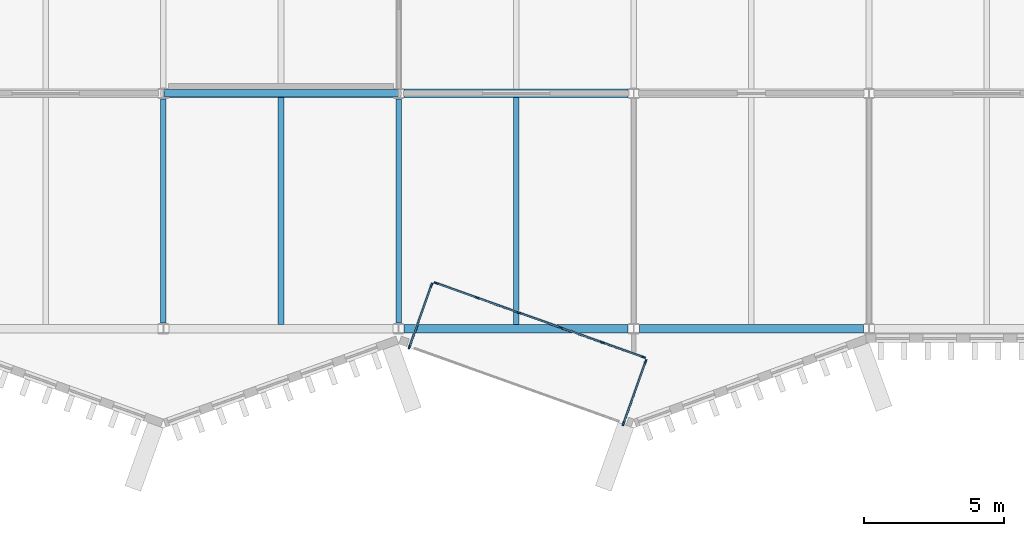
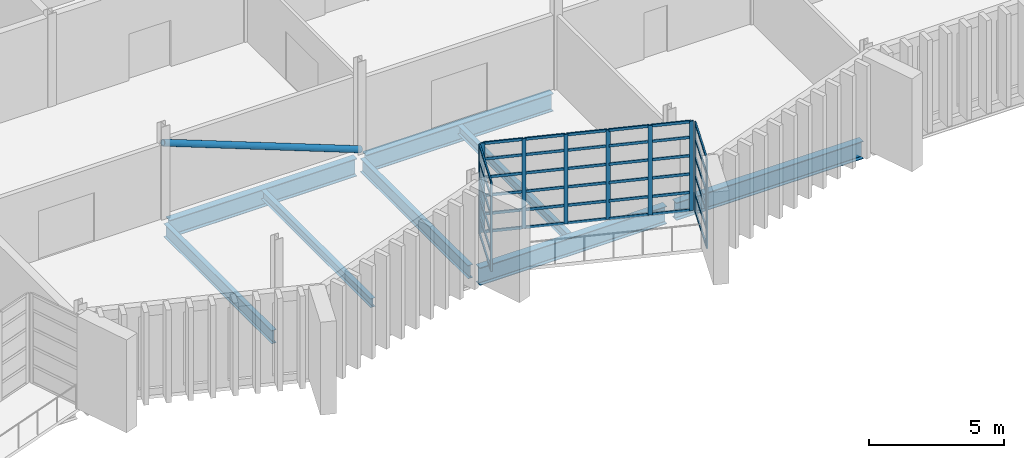
# One storey, part 18 of 96: 53 members, 8 beams, 3 elements without a shape of their own.
"""IFC4 building model written with IfcOpenShell, lengths in metres."""

from ifc_helpers import new_model, si_unit, direction, frame, origin, origin_2d, place, context, subcontext, project, spatial, rectangle, hollow_circle, i_section, extrude, material, layer, layer_set, material_profile, profile_set, type_object, element, aggregate, save


model = new_model("IFC4")

# Units and contexts
model_context = context("Model", 3, precision=1e-05, world=origin(), true_north=direction((0.0, 1.0)))
body_context = subcontext(model_context, "Body", "Model", "MODEL_VIEW")
ifc_project = project(units=[si_unit("LENGTHUNIT", "METRE"), si_unit("AREAUNIT", "SQUARE_METRE"), si_unit("VOLUMEUNIT", "CUBIC_METRE"), si_unit("PLANEANGLEUNIT", "RADIAN"), si_unit("MASSUNIT", "GRAM", prefix="KILO")], contexts=[model_context])

# Site, building, storey
site_placement = place(None, origin())
site = spatial("IfcSite", under=ifc_project, at=site_placement, CompositionType="ELEMENT")
building_placement = place(site_placement, origin())
building = spatial("IfcBuilding", under=site, at=building_placement, Name="Cresset Court Congress Hotel", CompositionType="ELEMENT")
storey_placement = place(building_placement, frame((0.0, 0.0, 6.0)))
storey = spatial("IfcBuildingStorey", under=building, at=storey_placement, Name="L01", CompositionType="ELEMENT", Elevation=6.0)

# Curtain wall, members
ifc_material_1 = material(Name="Aluminium frame with double glazing", Category="aluminium")
ifc_layer = layer(ifc_material_1, 0.199951171875)
ifc_layer_set = layer_set([ifc_layer], Name="Glazed box curtain wall 1680 module")
curtain_wall_type = type_object("IfcCurtainWallType", Name="Glazed box curtain wall 1680 module", PredefinedType="NOTDEFINED", material=ifc_layer_set)
curtain_wall_1_placement = place(storey_placement, origin())
curtain_wall_1 = element("IfcCurtainWall", 1, at=curtain_wall_1_placement, inside=storey, type_object=curtain_wall_type, Name="Glazed box S0106 front", PredefinedType="NOTDEFINED")
ifc_material_2 = material(Name="Aluminium", Category="aluminium")
ifc_material_profile_1 = material_profile(ifc_material_2, rectangle(XDim=0.06005859375, YDim=0.159912109375, at=origin_2d()), Name="Box mullion 60x160")
ifc_profile_set_1 = profile_set([ifc_material_profile_1], Name="Aluminium")
member_type_1 = type_object("IfcMemberType", Name="Box mullion 60x160", PredefinedType="MULLION", material=ifc_profile_set_1)
member_1_placement = place(storey_placement, frame((51.739990234375, 1.6259765625, 0.0), z_axis=(0.0, 0.0, 1.0), x_axis=(0.336336396981, 0.941741911601, 0.0)))
member_1 = element("IfcMember", 2, at=member_1_placement, type_object=member_type_1, Name="B-X1 mullion 1", PredefinedType="MULLION", context=body_context, shape_type="SweptSolid", body=[
    extrude(rectangle(XDim=0.06005859375, YDim=0.159912109375, at=origin_2d()), origin(), (0.0, 0.0, 1.0), 4.050048828125),
])
member_2_placement = place(storey_placement, frame((53.203369140625, 1.103515625, 0.0), z_axis=(0.0, 0.0, 1.0), x_axis=(0.336336396981, 0.941741911601, 0.0)))
member_2 = element("IfcMember", 3, at=member_2_placement, type_object=member_type_1, Name="B-X1 mullion 2", PredefinedType="MULLION", context=body_context, shape_type="SweptSolid", body=[
    extrude(rectangle(XDim=0.06005859375, YDim=0.159912109375, at=origin_2d()), origin(), (0.0, 0.0, 1.0), 4.050048828125),
])
member_3_placement = place(storey_placement, frame((54.695068359375, 0.57080078125, 0.0), z_axis=(0.0, 0.0, 1.0), x_axis=(0.336336396981, 0.941741911601, 0.0)))
member_3 = element("IfcMember", 4, at=member_3_placement, type_object=member_type_1, Name="B-X1 mullion 3", PredefinedType="MULLION", context=body_context, shape_type="SweptSolid", body=[
    extrude(rectangle(XDim=0.06005859375, YDim=0.159912109375, at=origin_2d()), origin(), (0.0, 0.0, 1.0), 4.050048828125),
])
member_4_placement = place(storey_placement, frame((56.186767578125, 0.0380859375, 0.0), z_axis=(0.0, 0.0, 1.0), x_axis=(0.336336396981, 0.941741911601, 0.0)))
member_4 = element("IfcMember", 5, at=member_4_placement, type_object=member_type_1, Name="B-X1 mullion 4", PredefinedType="MULLION", context=body_context, shape_type="SweptSolid", body=[
    extrude(rectangle(XDim=0.06005859375, YDim=0.159912109375, at=origin_2d()), origin(), (0.0, 0.0, 1.0), 4.050048828125),
])
member_5_placement = place(storey_placement, frame((57.67822265625, -0.49462890625, 0.0), z_axis=(0.0, 0.0, 1.0), x_axis=(0.336336396981, 0.941741911601, 0.0)))
member_5 = element("IfcMember", 6, at=member_5_placement, type_object=member_type_1, Name="B-X1 mullion 5", PredefinedType="MULLION", context=body_context, shape_type="SweptSolid", body=[
    extrude(rectangle(XDim=0.06005859375, YDim=0.159912109375, at=origin_2d()), origin(), (0.0, 0.0, 1.0), 4.050048828125),
])
member_6_placement = place(storey_placement, frame((59.1416015625, -1.017333984375, 0.0), z_axis=(0.0, 0.0, 1.0), x_axis=(0.336336396981, 0.941741911601, 0.0)))
member_6 = element("IfcMember", 7, at=member_6_placement, type_object=member_type_1, Name="B-X1 mullion 6", PredefinedType="MULLION", context=body_context, shape_type="SweptSolid", body=[
    extrude(rectangle(XDim=0.06005859375, YDim=0.159912109375, at=origin_2d()), origin(), (0.0, 0.0, 1.0), 4.050048828125),
])

curtain_wall_2_placement = place(storey_placement, origin())
curtain_wall_2 = element("IfcCurtainWall", 8, at=curtain_wall_2_placement, inside=storey, type_object=curtain_wall_type, Name="Glazed box S0106 side", PredefinedType="NOTDEFINED")
member_7_placement = place(storey_placement, frame((50.786865234375, -0.65625, 0.0), z_axis=(0.0, 0.0, 1.0), x_axis=(-0.941741911707, 0.336336396685, 0.0)))
member_7 = element("IfcMember", 9, at=member_7_placement, type_object=member_type_1, Name="B-X1 mullion 1", PredefinedType="MULLION", context=body_context, shape_type="SweptSolid", body=[
    extrude(rectangle(XDim=0.06005859375, YDim=0.159912109375, at=origin_2d()), origin(), (0.0, 0.0, 1.0), 4.050048828125),
])
member_8_placement = place(storey_placement, frame((51.57373046875, 1.54736328125, 0.0), z_axis=(0.0, 0.0, 1.0), x_axis=(-0.941741911707, 0.336336396685, 0.0)))
member_8 = element("IfcMember", 10, at=member_8_placement, type_object=member_type_1, Name="B-X1 mullion 2", PredefinedType="MULLION", context=body_context, shape_type="SweptSolid", body=[
    extrude(rectangle(XDim=0.06005859375, YDim=0.159912109375, at=origin_2d()), origin(), (0.0, 0.0, 1.0), 4.050048828125),
])

curtain_wall_3_placement = place(storey_placement, origin())
curtain_wall_3 = element("IfcCurtainWall", 11, at=curtain_wall_3_placement, inside=storey, type_object=curtain_wall_type, Name="Glazed box S0106 side", PredefinedType="NOTDEFINED")
member_9_placement = place(storey_placement, frame((58.433349609375, -3.38720703125, 0.0), z_axis=(0.0, 0.0, 1.0), x_axis=(-0.941741911578, 0.336336397047, 0.0)))
member_9 = element("IfcMember", 12, at=member_9_placement, type_object=member_type_1, Name="B-X1 mullion 1", PredefinedType="MULLION", context=body_context, shape_type="SweptSolid", body=[
    extrude(rectangle(XDim=0.06005859375, YDim=0.159912109375, at=origin_2d()), origin(), (0.0, 0.0, 1.0), 4.050048828125),
])
member_10_placement = place(storey_placement, frame((59.220458984375, -1.18359375, 0.0), z_axis=(0.0, 0.0, 1.0), x_axis=(-0.941741911578, 0.336336397047, 0.0)))
member_10 = element("IfcMember", 13, at=member_10_placement, type_object=member_type_1, Name="B-X1 mullion 2", PredefinedType="MULLION", context=body_context, shape_type="SweptSolid", body=[
    extrude(rectangle(XDim=0.06005859375, YDim=0.159912109375, at=origin_2d()), origin(), (0.0, 0.0, 1.0), 4.050048828125),
])

# Member
ifc_material_3 = material(Name="Aluminium", Category="aluminium")
ifc_material_profile_2 = material_profile(ifc_material_3, rectangle(XDim=0.06005859375, YDim=0.1201171875, at=origin_2d()), Name="Box transom 60x120")
ifc_profile_set_2 = profile_set([ifc_material_profile_2], Name="Aluminium")
member_type_2 = type_object("IfcMemberType", Name="Box transom 60x120", PredefinedType="USERDEFINED", material=ifc_profile_set_2)
member_11_placement = place(storey_placement, frame((51.768310546875, 1.615966796875, 0.030029296875), z_axis=(0.941734515945, -0.336357104098, 0.0), x_axis=(0.336357104098, 0.941734515945, 0.0)))
member_11 = element("IfcMember", 14, at=member_11_placement, type_object=member_type_2, Name="B-X1 transom 1.1", ObjectType="TRANSOM", PredefinedType="USERDEFINED", context=body_context, shape_type="SweptSolid", body=[
    extrude(rectangle(XDim=0.06005859375, YDim=0.1201171875, at=origin_2d()), origin(), (0.0, 0.0, 1.0), 1.49365234375),
])

member_12_placement = place(storey_placement, frame((51.768310546875, 1.615966796875, 0.830078125), z_axis=(0.941734515945, -0.336357104098, 0.0), x_axis=(0.336357104098, 0.941734515945, 0.0)))
member_12 = element("IfcMember", 15, at=member_12_placement, type_object=member_type_2, Name="B-X1 transom 1.2", ObjectType="TRANSOM", PredefinedType="USERDEFINED", context=body_context, shape_type="SweptSolid", body=[
    extrude(rectangle(XDim=0.06005859375, YDim=0.1201171875, at=origin_2d()), origin(), (0.0, 0.0, 1.0), 1.49365234375),
])

member_13_placement = place(storey_placement, frame((51.768310546875, 1.615966796875, 1.659912109375), z_axis=(0.941734515945, -0.336357104098, 0.0), x_axis=(0.336357104098, 0.941734515945, 0.0)))
member_13 = element("IfcMember", 16, at=member_13_placement, type_object=member_type_2, Name="B-X1 transom 1.3", ObjectType="TRANSOM", PredefinedType="USERDEFINED", context=body_context, shape_type="SweptSolid", body=[
    extrude(rectangle(XDim=0.06005859375, YDim=0.1201171875, at=origin_2d()), origin(), (0.0, 0.0, 1.0), 1.49365234375),
])

member_14_placement = place(storey_placement, frame((51.768310546875, 1.615966796875, 2.489990234375), z_axis=(0.941734515945, -0.336357104098, 0.0), x_axis=(0.336357104098, 0.941734515945, 0.0)))
member_14 = element("IfcMember", 17, at=member_14_placement, type_object=member_type_2, Name="B-X1 transom 1.4", ObjectType="TRANSOM", PredefinedType="USERDEFINED", context=body_context, shape_type="SweptSolid", body=[
    extrude(rectangle(XDim=0.06005859375, YDim=0.1201171875, at=origin_2d()), origin(), (0.0, 0.0, 1.0), 1.49365234375),
])

member_15_placement = place(storey_placement, frame((51.768310546875, 1.615966796875, 3.320068359375), z_axis=(0.941734515945, -0.336357104098, 0.0), x_axis=(0.336357104098, 0.941734515945, 0.0)))
member_15 = element("IfcMember", 18, at=member_15_placement, type_object=member_type_2, Name="B-X1 transom 1.5", ObjectType="TRANSOM", PredefinedType="USERDEFINED", context=body_context, shape_type="SweptSolid", body=[
    extrude(rectangle(XDim=0.06005859375, YDim=0.1201171875, at=origin_2d()), origin(), (0.0, 0.0, 1.0), 1.49365234375),
])

member_16_placement = place(storey_placement, frame((51.768310546875, 1.615966796875, 4.02001953125), z_axis=(0.941734515945, -0.336357104098, 0.0), x_axis=(0.336357104098, 0.941734515945, 0.0)))
member_16 = element("IfcMember", 19, at=member_16_placement, type_object=member_type_2, Name="B-X1 transom 1.6", ObjectType="TRANSOM", PredefinedType="USERDEFINED", context=body_context, shape_type="SweptSolid", body=[
    extrude(rectangle(XDim=0.06005859375, YDim=0.1201171875, at=origin_2d()), origin(), (0.0, 0.0, 1.0), 1.49365234375),
])

member_17_placement = place(storey_placement, frame((53.231689453125, 1.09326171875, 0.030029296875), z_axis=(0.941756410009, -0.336295798675, 0.0), x_axis=(0.336295798675, 0.941756410009, 0.0)))
member_17 = element("IfcMember", 20, at=member_17_placement, type_object=member_type_2, Name="B-X1 transom 2.1", ObjectType="TRANSOM", PredefinedType="USERDEFINED", context=body_context, shape_type="SweptSolid", body=[
    extrude(rectangle(XDim=0.06005859375, YDim=0.1201171875, at=origin_2d()), origin(), (0.0, 0.0, 1.0), 1.52392578125),
])

member_18_placement = place(storey_placement, frame((53.231689453125, 1.09326171875, 0.830078125), z_axis=(0.941756410009, -0.336295798675, 0.0), x_axis=(0.336295798675, 0.941756410009, 0.0)))
member_18 = element("IfcMember", 21, at=member_18_placement, type_object=member_type_2, Name="B-X1 transom 2.2", ObjectType="TRANSOM", PredefinedType="USERDEFINED", context=body_context, shape_type="SweptSolid", body=[
    extrude(rectangle(XDim=0.06005859375, YDim=0.1201171875, at=origin_2d()), origin(), (0.0, 0.0, 1.0), 1.52392578125),
])

member_19_placement = place(storey_placement, frame((53.231689453125, 1.09326171875, 1.659912109375), z_axis=(0.941756410009, -0.336295798675, 0.0), x_axis=(0.336295798675, 0.941756410009, 0.0)))
member_19 = element("IfcMember", 22, at=member_19_placement, type_object=member_type_2, Name="B-X1 transom 2.3", ObjectType="TRANSOM", PredefinedType="USERDEFINED", context=body_context, shape_type="SweptSolid", body=[
    extrude(rectangle(XDim=0.06005859375, YDim=0.1201171875, at=origin_2d()), origin(), (0.0, 0.0, 1.0), 1.52392578125),
])

member_20_placement = place(storey_placement, frame((53.231689453125, 1.09326171875, 2.489990234375), z_axis=(0.941756410009, -0.336295798675, 0.0), x_axis=(0.336295798675, 0.941756410009, 0.0)))
member_20 = element("IfcMember", 23, at=member_20_placement, type_object=member_type_2, Name="B-X1 transom 2.4", ObjectType="TRANSOM", PredefinedType="USERDEFINED", context=body_context, shape_type="SweptSolid", body=[
    extrude(rectangle(XDim=0.06005859375, YDim=0.1201171875, at=origin_2d()), origin(), (0.0, 0.0, 1.0), 1.52392578125),
])

member_21_placement = place(storey_placement, frame((53.231689453125, 1.09326171875, 3.320068359375), z_axis=(0.941756410009, -0.336295798675, 0.0), x_axis=(0.336295798675, 0.941756410009, 0.0)))
member_21 = element("IfcMember", 24, at=member_21_placement, type_object=member_type_2, Name="B-X1 transom 2.5", ObjectType="TRANSOM", PredefinedType="USERDEFINED", context=body_context, shape_type="SweptSolid", body=[
    extrude(rectangle(XDim=0.06005859375, YDim=0.1201171875, at=origin_2d()), origin(), (0.0, 0.0, 1.0), 1.52392578125),
])

member_22_placement = place(storey_placement, frame((53.231689453125, 1.09326171875, 4.02001953125), z_axis=(0.941756410009, -0.336295798675, 0.0), x_axis=(0.336295798675, 0.941756410009, 0.0)))
member_22 = element("IfcMember", 25, at=member_22_placement, type_object=member_type_2, Name="B-X1 transom 2.6", ObjectType="TRANSOM", PredefinedType="USERDEFINED", context=body_context, shape_type="SweptSolid", body=[
    extrude(rectangle(XDim=0.06005859375, YDim=0.1201171875, at=origin_2d()), origin(), (0.0, 0.0, 1.0), 1.52392578125),
])

member_23_placement = place(storey_placement, frame((54.723388671875, 0.560546875, 0.030029296875), z_axis=(0.941756410009, -0.336295798675, 0.0), x_axis=(0.336295798675, 0.941756410009, 0.0)))
member_23 = element("IfcMember", 26, at=member_23_placement, type_object=member_type_2, Name="B-X1 transom 3.1", ObjectType="TRANSOM", PredefinedType="USERDEFINED", context=body_context, shape_type="SweptSolid", body=[
    extrude(rectangle(XDim=0.06005859375, YDim=0.1201171875, at=origin_2d()), origin(), (0.0, 0.0, 1.0), 1.52392578125),
])

member_24_placement = place(storey_placement, frame((54.723388671875, 0.560546875, 0.830078125), z_axis=(0.941756410009, -0.336295798675, 0.0), x_axis=(0.336295798675, 0.941756410009, 0.0)))
member_24 = element("IfcMember", 27, at=member_24_placement, type_object=member_type_2, Name="B-X1 transom 3.2", ObjectType="TRANSOM", PredefinedType="USERDEFINED", context=body_context, shape_type="SweptSolid", body=[
    extrude(rectangle(XDim=0.06005859375, YDim=0.1201171875, at=origin_2d()), origin(), (0.0, 0.0, 1.0), 1.52392578125),
])

member_25_placement = place(storey_placement, frame((54.723388671875, 0.560546875, 1.659912109375), z_axis=(0.941756410009, -0.336295798675, 0.0), x_axis=(0.336295798675, 0.941756410009, 0.0)))
member_25 = element("IfcMember", 28, at=member_25_placement, type_object=member_type_2, Name="B-X1 transom 3.3", ObjectType="TRANSOM", PredefinedType="USERDEFINED", context=body_context, shape_type="SweptSolid", body=[
    extrude(rectangle(XDim=0.06005859375, YDim=0.1201171875, at=origin_2d()), origin(), (0.0, 0.0, 1.0), 1.52392578125),
])

member_26_placement = place(storey_placement, frame((54.723388671875, 0.560546875, 2.489990234375), z_axis=(0.941756410009, -0.336295798675, 0.0), x_axis=(0.336295798675, 0.941756410009, 0.0)))
member_26 = element("IfcMember", 29, at=member_26_placement, type_object=member_type_2, Name="B-X1 transom 3.4", ObjectType="TRANSOM", PredefinedType="USERDEFINED", context=body_context, shape_type="SweptSolid", body=[
    extrude(rectangle(XDim=0.06005859375, YDim=0.1201171875, at=origin_2d()), origin(), (0.0, 0.0, 1.0), 1.52392578125),
])

member_27_placement = place(storey_placement, frame((54.723388671875, 0.560546875, 3.320068359375), z_axis=(0.941756410009, -0.336295798675, 0.0), x_axis=(0.336295798675, 0.941756410009, 0.0)))
member_27 = element("IfcMember", 30, at=member_27_placement, type_object=member_type_2, Name="B-X1 transom 3.5", ObjectType="TRANSOM", PredefinedType="USERDEFINED", context=body_context, shape_type="SweptSolid", body=[
    extrude(rectangle(XDim=0.06005859375, YDim=0.1201171875, at=origin_2d()), origin(), (0.0, 0.0, 1.0), 1.52392578125),
])

member_28_placement = place(storey_placement, frame((54.723388671875, 0.560546875, 4.02001953125), z_axis=(0.941756410009, -0.336295798675, 0.0), x_axis=(0.336295798675, 0.941756410009, 0.0)))
member_28 = element("IfcMember", 31, at=member_28_placement, type_object=member_type_2, Name="B-X1 transom 3.6", ObjectType="TRANSOM", PredefinedType="USERDEFINED", context=body_context, shape_type="SweptSolid", body=[
    extrude(rectangle(XDim=0.06005859375, YDim=0.1201171875, at=origin_2d()), origin(), (0.0, 0.0, 1.0), 1.52392578125),
])

member_29_placement = place(storey_placement, frame((56.21484375, 0.02783203125, 0.030029296875), z_axis=(0.941774525646, -0.336245063673, 0.0), x_axis=(0.336245063673, 0.941774525646, 0.0)))
member_29 = element("IfcMember", 32, at=member_29_placement, type_object=member_type_2, Name="B-X1 transom 4.1", ObjectType="TRANSOM", PredefinedType="USERDEFINED", context=body_context, shape_type="SweptSolid", body=[
    extrude(rectangle(XDim=0.06005859375, YDim=0.1201171875, at=origin_2d()), origin(), (0.0, 0.0, 1.0), 1.52392578125),
])

member_30_placement = place(storey_placement, frame((56.21484375, 0.02783203125, 0.830078125), z_axis=(0.941774525646, -0.336245063673, 0.0), x_axis=(0.336245063673, 0.941774525646, 0.0)))
member_30 = element("IfcMember", 33, at=member_30_placement, type_object=member_type_2, Name="B-X1 transom 4.2", ObjectType="TRANSOM", PredefinedType="USERDEFINED", context=body_context, shape_type="SweptSolid", body=[
    extrude(rectangle(XDim=0.06005859375, YDim=0.1201171875, at=origin_2d()), origin(), (0.0, 0.0, 1.0), 1.52392578125),
])

member_31_placement = place(storey_placement, frame((56.21484375, 0.02783203125, 1.659912109375), z_axis=(0.941774525646, -0.336245063673, 0.0), x_axis=(0.336245063673, 0.941774525646, 0.0)))
member_31 = element("IfcMember", 34, at=member_31_placement, type_object=member_type_2, Name="B-X1 transom 4.3", ObjectType="TRANSOM", PredefinedType="USERDEFINED", context=body_context, shape_type="SweptSolid", body=[
    extrude(rectangle(XDim=0.06005859375, YDim=0.1201171875, at=origin_2d()), origin(), (0.0, 0.0, 1.0), 1.52392578125),
])

member_32_placement = place(storey_placement, frame((56.21484375, 0.02783203125, 2.489990234375), z_axis=(0.941774525646, -0.336245063673, 0.0), x_axis=(0.336245063673, 0.941774525646, 0.0)))
member_32 = element("IfcMember", 35, at=member_32_placement, type_object=member_type_2, Name="B-X1 transom 4.4", ObjectType="TRANSOM", PredefinedType="USERDEFINED", context=body_context, shape_type="SweptSolid", body=[
    extrude(rectangle(XDim=0.06005859375, YDim=0.1201171875, at=origin_2d()), origin(), (0.0, 0.0, 1.0), 1.52392578125),
])

member_33_placement = place(storey_placement, frame((56.21484375, 0.02783203125, 3.320068359375), z_axis=(0.941774525646, -0.336245063673, 0.0), x_axis=(0.336245063673, 0.941774525646, 0.0)))
member_33 = element("IfcMember", 36, at=member_33_placement, type_object=member_type_2, Name="B-X1 transom 4.5", ObjectType="TRANSOM", PredefinedType="USERDEFINED", context=body_context, shape_type="SweptSolid", body=[
    extrude(rectangle(XDim=0.06005859375, YDim=0.1201171875, at=origin_2d()), origin(), (0.0, 0.0, 1.0), 1.52392578125),
])

member_34_placement = place(storey_placement, frame((56.21484375, 0.02783203125, 4.02001953125), z_axis=(0.941774525646, -0.336245063673, 0.0), x_axis=(0.336245063673, 0.941774525646, 0.0)))
member_34 = element("IfcMember", 37, at=member_34_placement, type_object=member_type_2, Name="B-X1 transom 4.6", ObjectType="TRANSOM", PredefinedType="USERDEFINED", context=body_context, shape_type="SweptSolid", body=[
    extrude(rectangle(XDim=0.06005859375, YDim=0.1201171875, at=origin_2d()), origin(), (0.0, 0.0, 1.0), 1.52392578125),
])

member_35_placement = place(storey_placement, frame((57.70654296875, -0.5048828125, 0.030029296875), z_axis=(0.941753002509, -0.336305340823, 0.0), x_axis=(0.336305340823, 0.941753002509, 0.0)))
member_35 = element("IfcMember", 38, at=member_35_placement, type_object=member_type_2, Name="B-X1 transom 5.1", ObjectType="TRANSOM", PredefinedType="USERDEFINED", context=body_context, shape_type="SweptSolid", body=[
    extrude(rectangle(XDim=0.06005859375, YDim=0.1201171875, at=origin_2d()), origin(), (0.0, 0.0, 1.0), 1.493896484375),
])

member_36_placement = place(storey_placement, frame((57.70654296875, -0.5048828125, 0.830078125), z_axis=(0.941753002509, -0.336305340823, 0.0), x_axis=(0.336305340823, 0.941753002509, 0.0)))
member_36 = element("IfcMember", 39, at=member_36_placement, type_object=member_type_2, Name="B-X1 transom 5.2", ObjectType="TRANSOM", PredefinedType="USERDEFINED", context=body_context, shape_type="SweptSolid", body=[
    extrude(rectangle(XDim=0.06005859375, YDim=0.1201171875, at=origin_2d()), origin(), (0.0, 0.0, 1.0), 1.493896484375),
])

member_37_placement = place(storey_placement, frame((57.70654296875, -0.5048828125, 1.659912109375), z_axis=(0.941753002509, -0.336305340823, 0.0), x_axis=(0.336305340823, 0.941753002509, 0.0)))
member_37 = element("IfcMember", 40, at=member_37_placement, type_object=member_type_2, Name="B-X1 transom 5.3", ObjectType="TRANSOM", PredefinedType="USERDEFINED", context=body_context, shape_type="SweptSolid", body=[
    extrude(rectangle(XDim=0.06005859375, YDim=0.1201171875, at=origin_2d()), origin(), (0.0, 0.0, 1.0), 1.493896484375),
])

member_38_placement = place(storey_placement, frame((57.70654296875, -0.5048828125, 2.489990234375), z_axis=(0.941753002509, -0.336305340823, 0.0), x_axis=(0.336305340823, 0.941753002509, 0.0)))
member_38 = element("IfcMember", 41, at=member_38_placement, type_object=member_type_2, Name="B-X1 transom 5.4", ObjectType="TRANSOM", PredefinedType="USERDEFINED", context=body_context, shape_type="SweptSolid", body=[
    extrude(rectangle(XDim=0.06005859375, YDim=0.1201171875, at=origin_2d()), origin(), (0.0, 0.0, 1.0), 1.493896484375),
])

member_39_placement = place(storey_placement, frame((57.70654296875, -0.5048828125, 3.320068359375), z_axis=(0.941753002509, -0.336305340823, 0.0), x_axis=(0.336305340823, 0.941753002509, 0.0)))
member_39 = element("IfcMember", 42, at=member_39_placement, type_object=member_type_2, Name="B-X1 transom 5.5", ObjectType="TRANSOM", PredefinedType="USERDEFINED", context=body_context, shape_type="SweptSolid", body=[
    extrude(rectangle(XDim=0.06005859375, YDim=0.1201171875, at=origin_2d()), origin(), (0.0, 0.0, 1.0), 1.493896484375),
])

member_40_placement = place(storey_placement, frame((57.70654296875, -0.5048828125, 4.02001953125), z_axis=(0.941753002509, -0.336305340823, 0.0), x_axis=(0.336305340823, 0.941753002509, 0.0)))
member_40 = element("IfcMember", 43, at=member_40_placement, type_object=member_type_2, Name="B-X1 transom 5.6", ObjectType="TRANSOM", PredefinedType="USERDEFINED", context=body_context, shape_type="SweptSolid", body=[
    extrude(rectangle(XDim=0.06005859375, YDim=0.1201171875, at=origin_2d()), origin(), (0.0, 0.0, 1.0), 1.493896484375),
])

aggregate(curtain_wall_1, [member_1, member_2, member_3, member_4, member_5, member_6, member_11, member_12, member_13, member_14, member_15, member_16, member_17, member_18, member_19, member_20, member_21, member_22, member_23, member_24, member_25, member_26, member_27, member_28, member_29, member_30, member_31, member_32, member_33, member_34, member_35, member_36, member_37, member_38, member_39, member_40])

member_41_placement = place(storey_placement, frame((50.796875, -0.6279296875, 0.030029296875), z_axis=(0.336363532289, 0.941732219979, 0.0), x_axis=(-0.941732219979, 0.336363532289, 0.0)))
member_41 = element("IfcMember", 44, at=member_41_placement, type_object=member_type_2, Name="B-X1 transom 1.1", ObjectType="TRANSOM", PredefinedType="USERDEFINED", context=body_context, shape_type="SweptSolid", body=[
    extrude(rectangle(XDim=0.06005859375, YDim=0.1201171875, at=origin_2d()), origin(), (0.0, 0.0, 1.0), 2.27978515625),
])

member_42_placement = place(storey_placement, frame((50.796875, -0.6279296875, 0.830078125), z_axis=(0.336363532289, 0.941732219979, 0.0), x_axis=(-0.941732219979, 0.336363532289, 0.0)))
member_42 = element("IfcMember", 45, at=member_42_placement, type_object=member_type_2, Name="B-X1 transom 1.2", ObjectType="TRANSOM", PredefinedType="USERDEFINED", context=body_context, shape_type="SweptSolid", body=[
    extrude(rectangle(XDim=0.06005859375, YDim=0.1201171875, at=origin_2d()), origin(), (0.0, 0.0, 1.0), 2.27978515625),
])

member_43_placement = place(storey_placement, frame((50.796875, -0.6279296875, 1.659912109375), z_axis=(0.336363532289, 0.941732219979, 0.0), x_axis=(-0.941732219979, 0.336363532289, 0.0)))
member_43 = element("IfcMember", 46, at=member_43_placement, type_object=member_type_2, Name="B-X1 transom 1.3", ObjectType="TRANSOM", PredefinedType="USERDEFINED", context=body_context, shape_type="SweptSolid", body=[
    extrude(rectangle(XDim=0.06005859375, YDim=0.1201171875, at=origin_2d()), origin(), (0.0, 0.0, 1.0), 2.27978515625),
])

member_44_placement = place(storey_placement, frame((50.796875, -0.6279296875, 2.489990234375), z_axis=(0.336363532289, 0.941732219979, 0.0), x_axis=(-0.941732219979, 0.336363532289, 0.0)))
member_44 = element("IfcMember", 47, at=member_44_placement, type_object=member_type_2, Name="B-X1 transom 1.4", ObjectType="TRANSOM", PredefinedType="USERDEFINED", context=body_context, shape_type="SweptSolid", body=[
    extrude(rectangle(XDim=0.06005859375, YDim=0.1201171875, at=origin_2d()), origin(), (0.0, 0.0, 1.0), 2.27978515625),
])

member_45_placement = place(storey_placement, frame((50.796875, -0.6279296875, 3.320068359375), z_axis=(0.336363532289, 0.941732219979, 0.0), x_axis=(-0.941732219979, 0.336363532289, 0.0)))
member_45 = element("IfcMember", 48, at=member_45_placement, type_object=member_type_2, Name="B-X1 transom 1.5", ObjectType="TRANSOM", PredefinedType="USERDEFINED", context=body_context, shape_type="SweptSolid", body=[
    extrude(rectangle(XDim=0.06005859375, YDim=0.1201171875, at=origin_2d()), origin(), (0.0, 0.0, 1.0), 2.27978515625),
])

member_46_placement = place(storey_placement, frame((50.796875, -0.6279296875, 4.02001953125), z_axis=(0.336363532289, 0.941732219979, 0.0), x_axis=(-0.941732219979, 0.336363532289, 0.0)))
member_46 = element("IfcMember", 49, at=member_46_placement, type_object=member_type_2, Name="B-X1 transom 1.6", ObjectType="TRANSOM", PredefinedType="USERDEFINED", context=body_context, shape_type="SweptSolid", body=[
    extrude(rectangle(XDim=0.06005859375, YDim=0.1201171875, at=origin_2d()), origin(), (0.0, 0.0, 1.0), 2.27978515625),
])

aggregate(curtain_wall_2, [member_7, member_8, member_41, member_42, member_43, member_44, member_45, member_46])

member_47_placement = place(storey_placement, frame((58.443603515625, -3.35888671875, 0.030029296875), z_axis=(0.336329613816, 0.941744334132, 0.0), x_axis=(-0.941744334132, 0.336329613816, 0.0)))
member_47 = element("IfcMember", 50, at=member_47_placement, type_object=member_type_2, Name="B-X1 transom 1.1", ObjectType="TRANSOM", PredefinedType="USERDEFINED", context=body_context, shape_type="SweptSolid", body=[
    extrude(rectangle(XDim=0.06005859375, YDim=0.1201171875, at=origin_2d()), origin(), (0.0, 0.0, 1.0), 2.280029296875),
])

member_48_placement = place(storey_placement, frame((58.443603515625, -3.35888671875, 0.830078125), z_axis=(0.336329613816, 0.941744334132, 0.0), x_axis=(-0.941744334132, 0.336329613816, 0.0)))
member_48 = element("IfcMember", 51, at=member_48_placement, type_object=member_type_2, Name="B-X1 transom 1.2", ObjectType="TRANSOM", PredefinedType="USERDEFINED", context=body_context, shape_type="SweptSolid", body=[
    extrude(rectangle(XDim=0.06005859375, YDim=0.1201171875, at=origin_2d()), origin(), (0.0, 0.0, 1.0), 2.280029296875),
])

member_49_placement = place(storey_placement, frame((58.443603515625, -3.35888671875, 1.659912109375), z_axis=(0.336329613816, 0.941744334132, 0.0), x_axis=(-0.941744334132, 0.336329613816, 0.0)))
member_49 = element("IfcMember", 52, at=member_49_placement, type_object=member_type_2, Name="B-X1 transom 1.3", ObjectType="TRANSOM", PredefinedType="USERDEFINED", context=body_context, shape_type="SweptSolid", body=[
    extrude(rectangle(XDim=0.06005859375, YDim=0.1201171875, at=origin_2d()), origin(), (0.0, 0.0, 1.0), 2.280029296875),
])

member_50_placement = place(storey_placement, frame((58.443603515625, -3.35888671875, 2.489990234375), z_axis=(0.336329613816, 0.941744334132, 0.0), x_axis=(-0.941744334132, 0.336329613816, 0.0)))
member_50 = element("IfcMember", 53, at=member_50_placement, type_object=member_type_2, Name="B-X1 transom 1.4", ObjectType="TRANSOM", PredefinedType="USERDEFINED", context=body_context, shape_type="SweptSolid", body=[
    extrude(rectangle(XDim=0.06005859375, YDim=0.1201171875, at=origin_2d()), origin(), (0.0, 0.0, 1.0), 2.280029296875),
])

member_51_placement = place(storey_placement, frame((58.443603515625, -3.35888671875, 3.320068359375), z_axis=(0.336329613816, 0.941744334132, 0.0), x_axis=(-0.941744334132, 0.336329613816, 0.0)))
member_51 = element("IfcMember", 54, at=member_51_placement, type_object=member_type_2, Name="B-X1 transom 1.5", ObjectType="TRANSOM", PredefinedType="USERDEFINED", context=body_context, shape_type="SweptSolid", body=[
    extrude(rectangle(XDim=0.06005859375, YDim=0.1201171875, at=origin_2d()), origin(), (0.0, 0.0, 1.0), 2.280029296875),
])

member_52_placement = place(storey_placement, frame((58.443603515625, -3.35888671875, 4.02001953125), z_axis=(0.336329613816, 0.941744334132, 0.0), x_axis=(-0.941744334132, 0.336329613816, 0.0)))
member_52 = element("IfcMember", 55, at=member_52_placement, type_object=member_type_2, Name="B-X1 transom 1.6", ObjectType="TRANSOM", PredefinedType="USERDEFINED", context=body_context, shape_type="SweptSolid", body=[
    extrude(rectangle(XDim=0.06005859375, YDim=0.1201171875, at=origin_2d()), origin(), (0.0, 0.0, 1.0), 2.280029296875),
])

aggregate(curtain_wall_3, [member_9, member_10, member_47, member_48, member_49, member_50, member_51, member_52])

# Beams
ifc_material_4 = material(Name="Structural steel Q355B", Category="steel")
ifc_material_profile_3 = material_profile(ifc_material_4, i_section(OverallWidth=0.199951171875, OverallDepth=0.60009765625, WebThickness=0.010986328125, FlangeThickness=0.01708984375, FilletRadius=0.012939453125, at=origin_2d()), Name="HN600x200x11x17")
ifc_profile_set_3 = profile_set([ifc_material_profile_3], Name="Structural steel Q355B")
beam_type_1 = type_object("IfcBeamType", Name="Steel beam HN600x200x11x17", PredefinedType="BEAM", material=ifc_profile_set_3)
for number, where, z_axis, x_axis, name in (
    (56, (42.0, 0.199951171875, -0.449951171875), (0.0, 1.0, 0.0), (-1.0, 0.0, 0.0), "B.by.L01.06A"),
    (57, (50.39990234375, 0.199951171875, -0.449951171875), (0.0, 1.0, 0.0), (-1.0, 0.0, 0.0), "B.by.L01.07A"),
):
    element("IfcBeam", number, at=place(storey_placement, frame(where, z_axis=z_axis, x_axis=x_axis)), inside=storey, type_object=beam_type_1, Name=name, PredefinedType="BEAM", context=body_context, shape_type="SweptSolid", body=[
        extrude(i_section(OverallWidth=0.199951171875, OverallDepth=0.60009765625, WebThickness=0.010986328125, FlangeThickness=0.01708984375, FilletRadius=0.012939453125, at=origin_2d()), origin(), (0.0, 0.0, 1.0), 8.0),
    ])
ifc_material_5 = material(Name="Structural steel Q355B", Category="steel")
ifc_material_profile_4 = material_profile(ifc_material_5, i_section(OverallWidth=0.300048828125, OverallDepth=0.800048828125, WebThickness=0.013916015625, FlangeThickness=0.02587890625, FilletRadius=0.01806640625, at=origin_2d()), Name="HN800x300x14x26")
ifc_profile_set_4 = profile_set([ifc_material_profile_4], Name="Structural steel Q355B")
beam_type_2 = type_object("IfcBeamType", Name="Steel beam HN800x300x14x26", PredefinedType="BEAM", material=ifc_profile_set_4)
for number, where, z_axis, x_axis, name in (
    (58, (50.60009765625, 0.0, -0.550048828125), (1.0, 0.0, 0.0), (0.0, 1.0, 0.0), "B.bx.L01.A07"),
    (59, (59.0, 0.0, -0.550048828125), (1.0, 0.0, 0.0), (0.0, 1.0, 0.0), "B.bx.L01.A08"),
    (60, (42.199951171875, 8.39990234375, -0.550048828125), (1.0, 0.0, 0.0), (0.0, 1.0, 0.0), "B.bx.L01.B06"),
    (61, (50.60009765625, 8.39990234375, -0.550048828125), (1.0, 0.0, 0.0), (0.0, 1.0, 0.0), "B.bx.L01.B07"),
):
    element("IfcBeam", number, at=place(storey_placement, frame(where, z_axis=z_axis, x_axis=x_axis)), inside=storey, type_object=beam_type_2, Name=name, PredefinedType="BEAM", context=body_context, shape_type="SweptSolid", body=[
        extrude(i_section(OverallWidth=0.300048828125, OverallDepth=0.800048828125, WebThickness=0.013916015625, FlangeThickness=0.02587890625, FilletRadius=0.01806640625, at=origin_2d()), origin(), (0.0, 0.0, 1.0), 8.0),
    ])

# Member
ifc_material_6 = material(Name="Structural steel Q355B", Category="steel")
ifc_material_profile_5 = material_profile(ifc_material_6, hollow_circle(Radius=0.136474609375, WallThickness=0.011962890625, at=origin_2d()), Name="CHS273x12")
ifc_profile_set_5 = profile_set([ifc_material_profile_5], Name="Structural steel Q355B")
member_type_3 = type_object("IfcMemberType", Name="Steel brace CHS273x12", PredefinedType="BRACE", material=ifc_profile_set_5)
member_53_placement = place(storey_placement, frame((41.97509765625, 8.39990234375, 3.360107421875), z_axis=(0.932974115402, 0.0, -0.359943467769), x_axis=(0.0, 1.0, 0.0)))
element("IfcMember", 62, at=member_53_placement, inside=storey, type_object=member_type_3, Name="Brace L01 6", PredefinedType="BRACE", context=body_context, shape_type="SweptSolid", body=[
    extrude(hollow_circle(Radius=0.136474609375, WallThickness=0.011962890625, at=origin_2d()), origin(), (0.0, 0.0, 1.0), 9.056884765625),
])

# Beams
ifc_material_7 = material(Name="Structural steel Q355B", Category="steel")
ifc_material_profile_6 = material_profile(ifc_material_7, i_section(OverallWidth=0.199951171875, OverallDepth=0.39990234375, WebThickness=0.008056640625, FlangeThickness=0.012939453125, FilletRadius=0.01611328125, at=origin_2d()), Name="HN400x200x8x13")
ifc_profile_set_6 = profile_set([ifc_material_profile_6], Name="Structural steel Q355B")
beam_type_3 = type_object("IfcBeamType", Name="Steel joist HN400x200x8x13", PredefinedType="JOIST", material=ifc_profile_set_6)
for number, where, z_axis, x_axis, name in (
    (63, (46.199951171875, 0.14990234375, -0.35009765625), (0.0, 1.0, 0.0), (-1.0, 0.0, 0.0), "B.bj.L01.06A"),
    (64, (54.60009765625, 0.14990234375, -0.35009765625), (0.0, 1.0, 0.0), (-1.0, 0.0, 0.0), "B.bj.L01.07A"),
):
    element("IfcBeam", number, at=place(storey_placement, frame(where, z_axis=z_axis, x_axis=x_axis)), inside=storey, type_object=beam_type_3, Name=name, PredefinedType="JOIST", context=body_context, shape_type="SweptSolid", body=[
        extrude(i_section(OverallWidth=0.199951171875, OverallDepth=0.39990234375, WebThickness=0.008056640625, FlangeThickness=0.012939453125, FilletRadius=0.01611328125, at=origin_2d()), origin(), (0.0, 0.0, 1.0), 8.10009765625),
    ])

save(model, "model.ifc")
